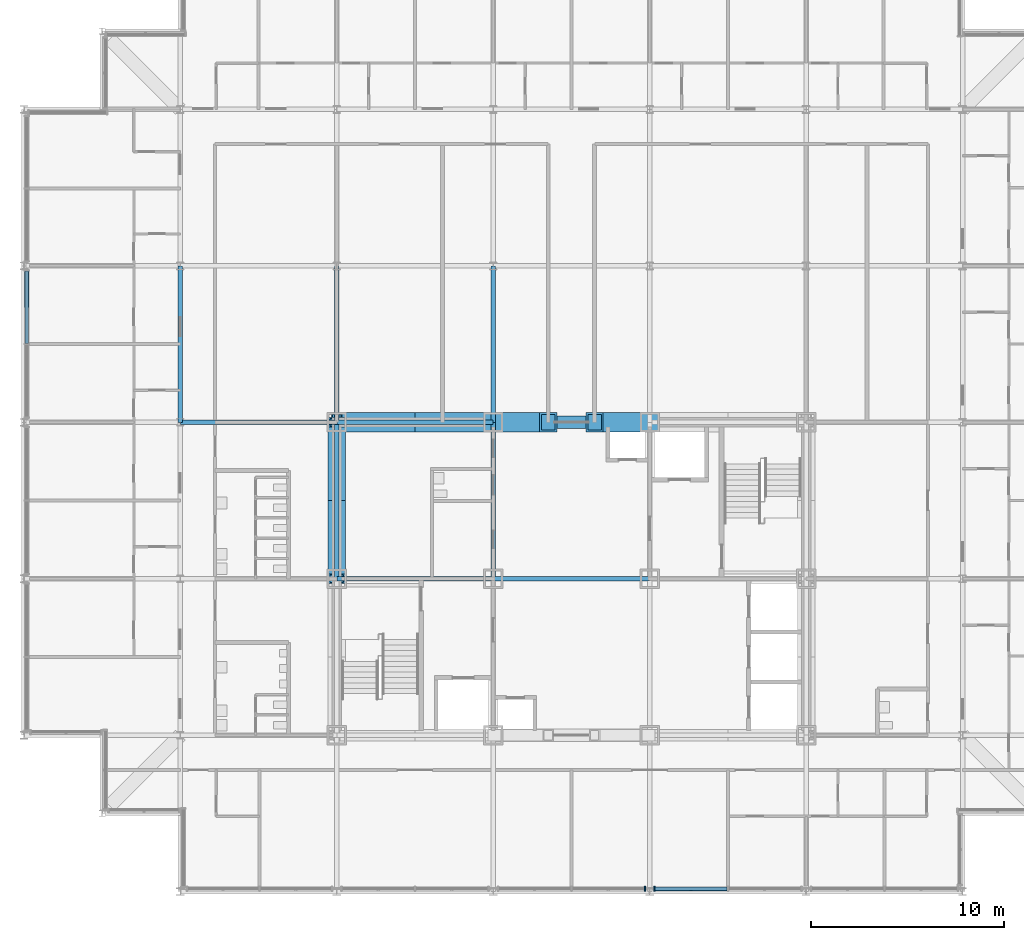
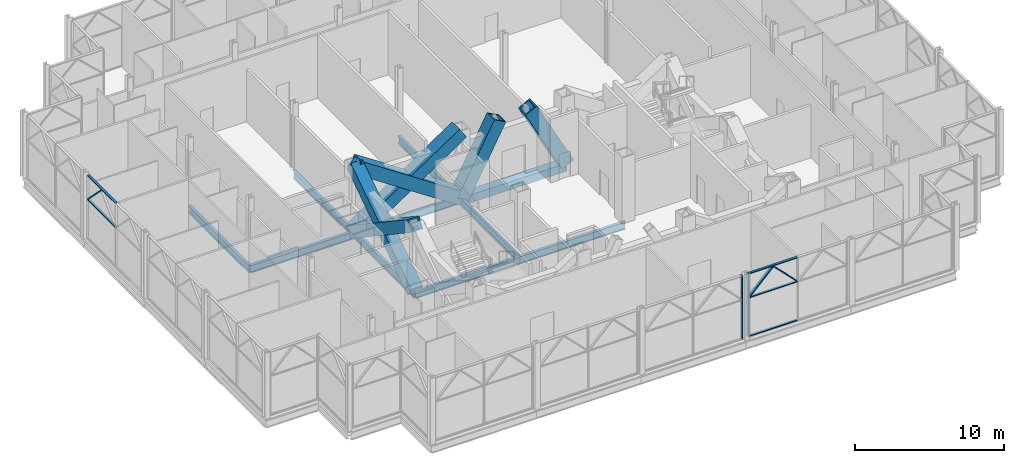
# One storey, part 7 of 26: 16 members, 10 beams, 3 elements without a shape of their own.
"""IFC4 building model written with IfcOpenShell, lengths in metres."""

from ifc_helpers import new_model, si_unit, direction, frame, origin, origin_2d, place, context, subcontext, project, spatial, rectangle, hollow_rectangle, i_section, extrude, material, material_profile, profile_set, type_object, element, aggregate, save


model = new_model("IFC4")

# Units and contexts
model_context = context("Model", 3, precision=1e-05, world=origin(), true_north=direction((0.0, 1.0)))
body_context = subcontext(model_context, "Body", "Model", "MODEL_VIEW")
ifc_project = project(units=[si_unit("LENGTHUNIT", "METRE"), si_unit("AREAUNIT", "SQUARE_METRE"), si_unit("VOLUMEUNIT", "CUBIC_METRE"), si_unit("PLANEANGLEUNIT", "RADIAN"), si_unit("MASSUNIT", "GRAM", prefix="KILO")], contexts=[model_context])

# Site, building, storey
site_placement = place(None, origin())
site = spatial("IfcSite", under=ifc_project, at=site_placement, CompositionType="ELEMENT")
building_placement = place(site_placement, origin())
building = spatial("IfcBuilding", under=site, at=building_placement, Name="Kopane Lantern Tower", CompositionType="ELEMENT")
storey_placement = place(building_placement, frame((0.0, 0.0, 293.10009765625)))
storey = spatial("IfcBuildingStorey", under=building, at=storey_placement, Name="L75", CompositionType="ELEMENT", Elevation=293.10009765625)

# Members
ifc_material_1 = material(Name="Steel S355JR", Category="steel")
ifc_material_profile_1 = material_profile(ifc_material_1, hollow_rectangle(XDim=1.0, YDim=1.0, WallThickness=0.10009765625, at=origin_2d()), Name="BOX 1000x1000x100")
ifc_profile_set_1 = profile_set([ifc_material_profile_1], Name="Steel S355JR")
member_type_1 = type_object("IfcMemberType", Name="BRACE BOX 1000x1000x100", PredefinedType="BRACE", material=ifc_profile_set_1)
for number, where, z_axis, x_axis, name in (
    (1, (16.199951171875, 40.5, -0.210205078125), (0.832046436124, 0.0, 0.554705983502), (0.0, 1.0, 0.0), "Core brace L75"),
    (2, (24.300048828125, 40.5, -0.210205078125), (-0.832046436124, 0.0, 0.554705983502), (0.0, -1.0, 0.0), "Core brace L75"),
):
    element("IfcMember", number, at=place(storey_placement, frame(where, z_axis=z_axis, x_axis=x_axis)), inside=storey, type_object=member_type_1, Name=name, PredefinedType="BRACE", context=body_context, shape_type="SweptSolid", body=[
        extrude(hollow_rectangle(XDim=1.0, YDim=1.0, WallThickness=0.10009765625, at=origin_2d()), origin(), (0.0, 0.0, 1.0), 9.735107421875),
    ])
for number, where, z_axis, x_axis, name in (
    (3, (24.300048828125, 40.5, -0.210205078125), (0.466729952651, 0.0, 0.884399882009), (0.0, 1.0, 0.0), "Core brace L75"),
    (4, (32.39990234375, 40.5, -0.210205078125), (-0.466729952651, 0.0, 0.884399882009), (0.0, -1.0, 0.0), "Core brace L75"),
):
    element("IfcMember", number, at=place(storey_placement, frame(where, z_axis=z_axis, x_axis=x_axis)), inside=storey, type_object=member_type_1, Name=name, PredefinedType="BRACE", context=body_context, shape_type="SweptSolid", body=[
        extrude(hollow_rectangle(XDim=1.0, YDim=1.0, WallThickness=0.10009765625, at=origin_2d()), origin(), (0.0, 0.0, 1.0), 6.10595703125),
    ])
ifc_material_2 = material(Name="Steel S355JR", Category="steel")
ifc_material_profile_2 = material_profile(ifc_material_2, hollow_rectangle(XDim=0.89990234375, YDim=0.89990234375, WallThickness=0.090087890625, at=origin_2d()), Name="BOX 900x900x90")
ifc_profile_set_2 = profile_set([ifc_material_profile_2], Name="Steel S355JR")
member_type_2 = type_object("IfcMemberType", Name="BRACE BOX 900x900x90", PredefinedType="BRACE", material=ifc_profile_set_2)
for number, where, z_axis, x_axis, name in (
    (5, (16.199951171875, 32.39990234375, -0.210205078125), (0.0, 0.832046436124, 0.554705983502), (-1.0, 0.0, 0.0), "Core brace L75"),
    (6, (16.199951171875, 40.5, -0.210205078125), (0.0, -0.832046436124, 0.554705983502), (1.0, 0.0, 0.0), "Core brace L75"),
):
    element("IfcMember", number, at=place(storey_placement, frame(where, z_axis=z_axis, x_axis=x_axis)), inside=storey, type_object=member_type_2, Name=name, PredefinedType="BRACE", context=body_context, shape_type="SweptSolid", body=[
        extrude(hollow_rectangle(XDim=0.89990234375, YDim=0.89990234375, WallThickness=0.090087890625, at=origin_2d()), origin(), (0.0, 0.0, 1.0), 9.735107421875),
    ])

# Beams
ifc_material_3 = material(Name="Steel S355JR", Category="steel")
ifc_material_profile_3 = material_profile(ifc_material_3, i_section(OverallWidth=0.22900390625, OverallDepth=0.6123046875, WebThickness=0.011962890625, FlangeThickness=0.01953125, FilletRadius=0.0126953125, at=origin_2d()), Name="UB 610x229x125")
ifc_profile_set_3 = profile_set([ifc_material_profile_3], Name="Steel S355JR")
beam_type_1 = type_object("IfcBeamType", Name="CORE BEAM UB 610x229x125", PredefinedType="BEAM", material=ifc_profile_set_3)
for number, where, z_axis, x_axis, name in (
    (7, (16.199951171875, 32.39990234375, -0.51611328125), (1.0, 0.0, 0.0), (0.0, 1.0, 0.0), "Core Beam L75"),
    (8, (24.300048828125, 32.39990234375, -0.51611328125), (0.0, 1.0, 0.0), (-1.0, 0.0, 0.0), "Core Beam L75"),
):
    element("IfcBeam", number, at=place(storey_placement, frame(where, z_axis=z_axis, x_axis=x_axis)), inside=storey, type_object=beam_type_1, Name=name, PredefinedType="BEAM", context=body_context, shape_type="SweptSolid", body=[
        extrude(i_section(OverallWidth=0.22900390625, OverallDepth=0.6123046875, WebThickness=0.011962890625, FlangeThickness=0.01953125, FilletRadius=0.0126953125, at=origin_2d()), origin(), (0.0, 0.0, 1.0), 8.10009765625),
    ])
beam_1_placement = place(storey_placement, frame((24.300048828125, 32.39990234375, -0.51611328125), z_axis=(1.0, 0.0, 0.0), x_axis=(0.0, 1.0, 0.0)))
element("IfcBeam", 9, at=beam_1_placement, inside=storey, type_object=beam_type_1, Name="Core Beam L75", PredefinedType="BEAM", context=body_context, shape_type="SweptSolid", body=[
    extrude(i_section(OverallWidth=0.22900390625, OverallDepth=0.6123046875, WebThickness=0.011962890625, FlangeThickness=0.01953125, FilletRadius=0.0126953125, at=origin_2d()), origin(), (0.0, 0.0, 1.0), 8.099853515625),
])
ifc_material_4 = material(Name="Steel S355JR", Category="steel")
ifc_material_profile_4 = material_profile(ifc_material_4, i_section(OverallWidth=0.22900390625, OverallDepth=0.6123046875, WebThickness=0.011962890625, FlangeThickness=0.01953125, FilletRadius=0.0126953125, at=origin_2d()), Name="UB 610x229x125")
ifc_profile_set_4 = profile_set([ifc_material_profile_4], Name="Steel S355JR")
beam_type_2 = type_object("IfcBeamType", Name="GIRDER UB 610x229x125", PredefinedType="BEAM", material=ifc_profile_set_4)
beam_2_placement = place(storey_placement, frame((8.10009765625, 40.5, -0.51611328125), z_axis=(0.0, 1.0, 0.0), x_axis=(-1.0, 0.0, 0.0)))
element("IfcBeam", 10, at=beam_2_placement, inside=storey, type_object=beam_type_2, Name="Girder L75", PredefinedType="BEAM", context=body_context, shape_type="SweptSolid", body=[
    extrude(i_section(OverallWidth=0.22900390625, OverallDepth=0.6123046875, WebThickness=0.011962890625, FlangeThickness=0.01953125, FilletRadius=0.0126953125, at=origin_2d()), origin(), (0.0, 0.0, 1.0), 8.10009765625),
])
beam_3_placement = place(storey_placement, frame((8.10009765625, 40.5, -0.51611328125), z_axis=(1.0, 0.0, 0.0), x_axis=(0.0, 1.0, 0.0)))
element("IfcBeam", 11, at=beam_3_placement, inside=storey, type_object=beam_type_2, Name="Girder L75", PredefinedType="BEAM", context=body_context, shape_type="SweptSolid", body=[
    extrude(i_section(OverallWidth=0.22900390625, OverallDepth=0.6123046875, WebThickness=0.011962890625, FlangeThickness=0.01953125, FilletRadius=0.0126953125, at=origin_2d()), origin(), (0.0, 0.0, 1.0), 8.099853515625),
])
for number, where, z_axis, x_axis, name in (
    (12, (16.199951171875, 32.39990234375, -0.51611328125), (0.0, 1.0, 0.0), (-1.0, 0.0, 0.0), "Girder L75"),
    (13, (16.199951171875, 40.5, -0.51611328125), (0.0, 1.0, 0.0), (-1.0, 0.0, 0.0), "Girder L75"),
    (14, (16.199951171875, 40.5, -0.51611328125), (1.0, 0.0, 0.0), (0.0, 1.0, 0.0), "Girder L75"),
    (15, (24.300048828125, 40.5, -0.51611328125), (0.0, 1.0, 0.0), (-1.0, 0.0, 0.0), "Girder L75"),
):
    element("IfcBeam", number, at=place(storey_placement, frame(where, z_axis=z_axis, x_axis=x_axis)), inside=storey, type_object=beam_type_2, Name=name, PredefinedType="BEAM", context=body_context, shape_type="SweptSolid", body=[
        extrude(i_section(OverallWidth=0.22900390625, OverallDepth=0.6123046875, WebThickness=0.011962890625, FlangeThickness=0.01953125, FilletRadius=0.0126953125, at=origin_2d()), origin(), (0.0, 0.0, 1.0), 8.10009765625),
    ])
ifc_material_5 = material(Name="Steel S355JR", Category="steel")
ifc_material_profile_5 = material_profile(ifc_material_5, hollow_rectangle(XDim=0.64990234375, YDim=0.64990234375, WallThickness=0.070068359375, at=origin_2d()), Name="BOX 650x650x70")
ifc_profile_set_5 = profile_set([ifc_material_profile_5], Name="Steel S355JR")
beam_type_3 = type_object("IfcBeamType", Name="LINK BEAM BOX 650x650x70", PredefinedType="BEAM", material=ifc_profile_set_5)
beam_4_placement = place(storey_placement, frame((24.300048828125, 40.5, -0.53515625), z_axis=(1.0, 0.0, 0.0), x_axis=(0.0, 1.0, 0.0)))
element("IfcBeam", 16, at=beam_4_placement, inside=storey, type_object=beam_type_3, Name="Link Beam L75", PredefinedType="BEAM", context=body_context, shape_type="SweptSolid", body=[
    extrude(hollow_rectangle(XDim=0.64990234375, YDim=0.64990234375, WallThickness=0.070068359375, at=origin_2d()), origin(), (0.0, 0.0, 1.0), 8.099853515625),
])

# Curtain wall, member
ifc_material_6 = material(Name="Aluminium and clear glass", Category="aluminium")
curtain_wall_type = type_object("IfcCurtainWallType", Name="CURTAIN WALL CW5 SKY RESTAURANT", PredefinedType="USERDEFINED", material=ifc_material_6)
curtain_wall_1_placement = place(storey_placement, origin())
curtain_wall_1 = element("IfcCurtainWall", 17, at=curtain_wall_1_placement, inside=storey, type_object=curtain_wall_type, Name="Curtain wall CW5 S L75", ObjectType="CURTAIN WALL", PredefinedType="USERDEFINED")
ifc_material_7 = material(Name="Aluminium", Category="aluminium")
ifc_material_profile_6 = material_profile(ifc_material_7, rectangle(XDim=0.074951171875, YDim=0.25, at=origin_2d()), Name="AL 75x250")
ifc_profile_set_6 = profile_set([ifc_material_profile_6], Name="Aluminium")
member_type_3 = type_object("IfcMemberType", Name="MULLION CW5-M 75x250", PredefinedType="MULLION", material=ifc_profile_set_6)
member_1_placement = place(storey_placement, frame((32.157958984375, 16.35009765625, 0.0), z_axis=(0.0, 0.0, 1.0), x_axis=(1.0, 0.0, 0.0)))
member_1 = element("IfcMember", 18, at=member_1_placement, type_object=member_type_3, Name="CW5 mullion 3", PredefinedType="MULLION", context=body_context, shape_type="SweptSolid", body=[
    extrude(rectangle(XDim=0.074951171875, YDim=0.25, at=origin_2d()), origin(), (0.0, 0.0, 1.0), 5.18994140625),
])
aggregate(curtain_wall_1, [member_1])

# Curtain wall, members
curtain_wall_2_placement = place(storey_placement, origin())
curtain_wall_2 = element("IfcCurtainWall", 19, at=curtain_wall_2_placement, inside=storey, type_object=curtain_wall_type, Name="Curtain wall CW5 S L75", ObjectType="CURTAIN WALL", PredefinedType="USERDEFINED")
member_2_placement = place(storey_placement, frame((32.64208984375, 16.35009765625, 0.0), z_axis=(0.0, 0.0, 1.0), x_axis=(1.0, 0.0, 0.0)))
member_2 = element("IfcMember", 20, at=member_2_placement, type_object=member_type_3, Name="CW5 mullion 1", PredefinedType="MULLION", context=body_context, shape_type="SweptSolid", body=[
    extrude(rectangle(XDim=0.074951171875, YDim=0.25, at=origin_2d()), origin(), (0.0, 0.0, 1.0), 5.18994140625),
])
member_3_placement = place(storey_placement, frame((32.706298828125, 16.35009765625, 3.25390625), z_axis=(0.7028822434, 0.0, 0.71130622935), x_axis=(-0.71130622935, 0.0, 0.7028822434)))
member_3 = element("IfcMember", 21, at=member_3_placement, type_object=member_type_3, Name="CW5 lancet mullion 1L", PredefinedType="MULLION", context=body_context, shape_type="SweptSolid", body=[
    extrude(rectangle(XDim=0.074951171875, YDim=0.25, at=origin_2d()), origin(), (0.0, 0.0, 1.0), 2.579345703125),
])
member_4_placement = place(storey_placement, frame((36.3857421875, 16.35009765625, 3.25390625), z_axis=(-0.7028822434, 0.0, 0.71130622935), x_axis=(0.71130622935, 0.0, 0.7028822434)))
member_4 = element("IfcMember", 22, at=member_4_placement, type_object=member_type_3, Name="CW5 lancet mullion 1R", PredefinedType="MULLION", context=body_context, shape_type="SweptSolid", body=[
    extrude(rectangle(XDim=0.074951171875, YDim=0.25, at=origin_2d()), origin(), (0.0, 0.0, 1.0), 2.579345703125),
])

# Curtain wall, member
curtain_wall_3_placement = place(storey_placement, origin())
curtain_wall_3 = element("IfcCurtainWall", 23, at=curtain_wall_3_placement, inside=storey, type_object=curtain_wall_type, Name="Curtain wall CW5 W L75", ObjectType="CURTAIN WALL", PredefinedType="USERDEFINED")
member_5_placement = place(storey_placement, frame((0.14990234375, 48.29638671875, 3.25390625), z_axis=(0.0, -0.703169408785, 0.711022350245), x_axis=(0.0, 0.711022350245, 0.703169408785)))
member_5 = element("IfcMember", 24, at=member_5_placement, type_object=member_type_3, Name="CW5 lancet mullion 1L", PredefinedType="MULLION", context=body_context, shape_type="SweptSolid", body=[
    extrude(rectangle(XDim=0.074951171875, YDim=0.25, at=origin_2d()), origin(), (0.0, 0.0, 1.0), 2.580322265625),
])

# Member
ifc_material_8 = material(Name="Aluminium", Category="aluminium")
ifc_material_profile_7 = material_profile(ifc_material_8, rectangle(XDim=0.175048828125, YDim=0.074951171875, at=origin_2d()), Name="AL 175x75")
ifc_profile_set_7 = profile_set([ifc_material_profile_7], Name="Aluminium")
member_type_4 = type_object("IfcMemberType", Name="TRANSOM CW5-T 75x175", PredefinedType="USERDEFINED", material=ifc_profile_set_7)
member_6_placement = place(storey_placement, frame((32.679443359375, 16.35009765625, 0.037353515625), z_axis=(1.0, 0.0, 0.0), x_axis=(0.0, 1.0, 0.0)))
member_6 = element("IfcMember", 25, at=member_6_placement, type_object=member_type_4, Name="CW5 transom 1.1", ObjectType="TRANSOM", PredefinedType="USERDEFINED", context=body_context, shape_type="SweptSolid", body=[
    extrude(rectangle(XDim=0.175048828125, YDim=0.074951171875, at=origin_2d()), origin(), (0.0, 0.0, 1.0), 3.733154296875),
])

member_7_placement = place(storey_placement, frame((32.679443359375, 16.35009765625, 3.18994140625), z_axis=(1.0, 0.0, 0.0), x_axis=(0.0, 1.0, 0.0)))
member_7 = element("IfcMember", 26, at=member_7_placement, type_object=member_type_4, Name="CW5 transom 1.2", ObjectType="TRANSOM", PredefinedType="USERDEFINED", context=body_context, shape_type="SweptSolid", body=[
    extrude(rectangle(XDim=0.175048828125, YDim=0.074951171875, at=origin_2d()), origin(), (0.0, 0.0, 1.0), 3.733154296875),
])

member_8_placement = place(storey_placement, frame((32.679443359375, 16.35009765625, 5.15234375), z_axis=(1.0, 0.0, 0.0), x_axis=(0.0, 1.0, 0.0)))
member_8 = element("IfcMember", 27, at=member_8_placement, type_object=member_type_4, Name="CW5 transom 1.3", ObjectType="TRANSOM", PredefinedType="USERDEFINED", context=body_context, shape_type="SweptSolid", body=[
    extrude(rectangle(XDim=0.175048828125, YDim=0.074951171875, at=origin_2d()), origin(), (0.0, 0.0, 1.0), 3.733154296875),
])

aggregate(curtain_wall_2, [member_2, member_6, member_7, member_8, member_3, member_4])

member_9_placement = place(storey_placement, frame((0.14990234375, 48.3232421875, 3.18994140625), z_axis=(0.0, -1.0, 0.0), x_axis=(1.0, 0.0, 0.0)))
member_9 = element("IfcMember", 28, at=member_9_placement, type_object=member_type_4, Name="CW5 transom 1.2", ObjectType="TRANSOM", PredefinedType="USERDEFINED", context=body_context, shape_type="SweptSolid", body=[
    extrude(rectangle(XDim=0.175048828125, YDim=0.074951171875, at=origin_2d()), origin(), (0.0, 0.0, 1.0), 3.73583984375),
])

member_10_placement = place(storey_placement, frame((0.14990234375, 48.3232421875, 5.15234375), z_axis=(0.0, -1.0, 0.0), x_axis=(1.0, 0.0, 0.0)))
member_10 = element("IfcMember", 29, at=member_10_placement, type_object=member_type_4, Name="CW5 transom 1.3", ObjectType="TRANSOM", PredefinedType="USERDEFINED", context=body_context, shape_type="SweptSolid", body=[
    extrude(rectangle(XDim=0.175048828125, YDim=0.074951171875, at=origin_2d()), origin(), (0.0, 0.0, 1.0), 3.73583984375),
])

aggregate(curtain_wall_3, [member_9, member_10, member_5])

save(model, "model.ifc")
